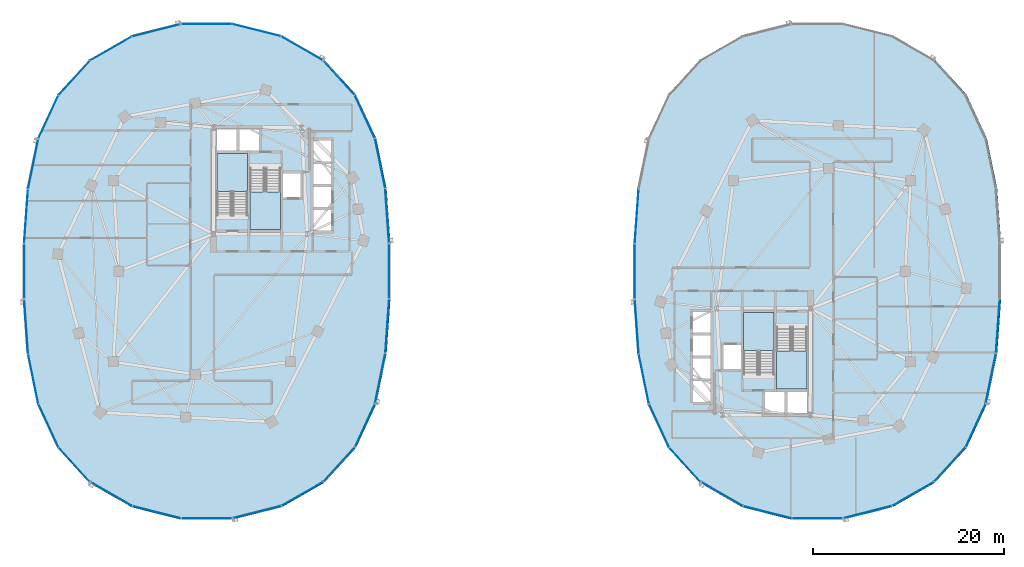
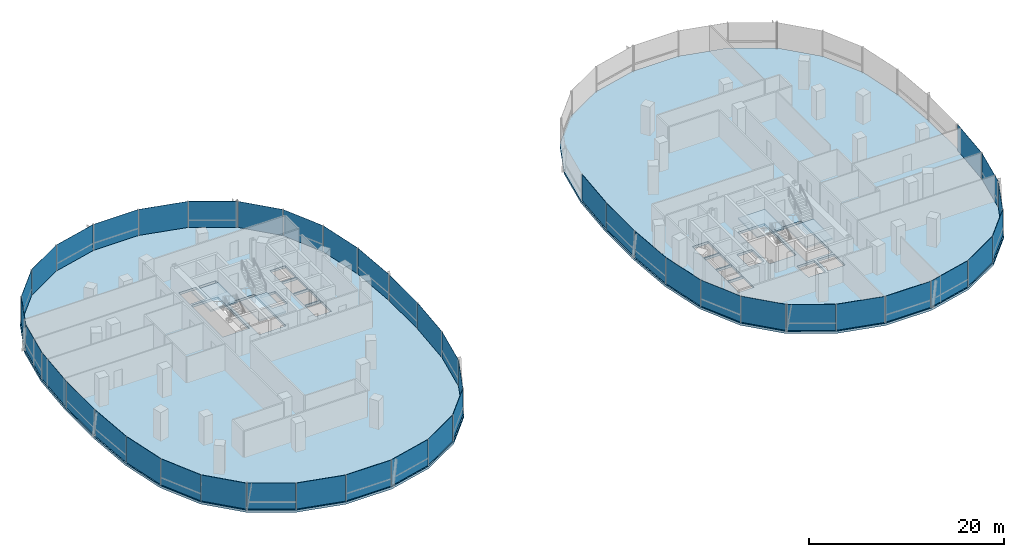
# One storey, part 9 of 21: 43 plates, 6 slabs, 11 elements without a shape of their own.
"""IFC4 building model written with IfcOpenShell, lengths in metres."""

from ifc_helpers import new_model, si_unit, direction, frame, origin, origin_2d, place, context, subcontext, project, spatial, polyline, rectangle, outline, extrude, material, layer, layer_set, type_object, element, aggregate, save


model = new_model("IFC4")

# Units and contexts
model_context = context("Model", 3, precision=1e-05, world=origin(), true_north=direction((0.0, 1.0)))
body_context = subcontext(model_context, "Body", "Model", "MODEL_VIEW")
ifc_project = project(units=[si_unit("LENGTHUNIT", "METRE"), si_unit("AREAUNIT", "SQUARE_METRE"), si_unit("VOLUMEUNIT", "CUBIC_METRE"), si_unit("PLANEANGLEUNIT", "RADIAN"), si_unit("MASSUNIT", "GRAM", prefix="KILO"), si_unit("THERMODYNAMICTEMPERATUREUNIT", "KELVIN"), si_unit("POWERUNIT", "WATT")], contexts=[model_context])

# Site, building, storey
site_placement = place(None, origin())
site = spatial("IfcSite", under=ifc_project, at=site_placement, CompositionType="ELEMENT")
building_placement = place(site_placement, origin())
building = spatial("IfcBuilding", under=site, at=building_placement, Name="Cundina Bronze Exchange", CompositionType="ELEMENT")
storey_placement = place(building_placement, frame((0.0, 0.0, 85.39990234375)))
storey = spatial("IfcBuildingStorey", under=building, at=storey_placement, Name="L21", CompositionType="ELEMENT", Elevation=85.39990234375)

# Curtain wall, plates
ifc_material_1 = material(Name="Anodised Bronze Aluminium 6063-T6", Category="aluminium")
curtain_wall_type = type_object("IfcCurtainWallType", Name="CWS-TRD-MID", PredefinedType="NOTDEFINED", material=ifc_material_1)
curtain_wall_1_placement = place(storey_placement, origin())
curtain_wall_1 = element("IfcCurtainWall", 1, at=curtain_wall_1_placement, inside=storey, type_object=curtain_wall_type, Name="L21 CW-03 Curtain Wall Run CWR-L21-W1", PredefinedType="NOTDEFINED")
ifc_material_2 = material(Name="Heat-Strengthened Solar-Control Bronze Safety Glass 28mm", Category="glass")
ifc_layer_1 = layer(ifc_material_2, 0.028076171875, Name="Heat-Strengthened Solar-Control Bronze Safety Glass 28mm", Category="glass")
ifc_layer_set_1 = layer_set([ifc_layer_1], Name="Heat-Strengthened Solar-Control Bronze Safety Glass 28mm")
plate_type_1 = type_object("IfcPlateType", Name="PLT-GLZ-VIS28", PredefinedType="CURTAIN_PANEL", material=ifc_layer_set_1)
plate_1_placement = place(storey_placement, frame((-13.0732421875, 5.783935546875, 0.02001953125), z_axis=(0.0, 0.0, 1.0), x_axis=(-0.070278787473, 0.997527389113, 0.0)))
plate_1 = element("IfcPlate", 2, at=plate_1_placement, type_object=plate_type_1, Name="CW-03 Glazed Panel 1", PredefinedType="CURTAIN_PANEL", context=body_context, shape_type="SweptSolid", body=[
    extrude(rectangle(XDim=5.644287109375, YDim=0.028076171875, at=origin_2d()), origin(), (0.0, 0.0, 1.0), 3.260009765625),
])
plate_2_placement = place(storey_placement, frame((-13.81591796875, 11.269775390625, 0.02001953125), z_axis=(0.0, 0.0, 1.0), x_axis=(-0.201419845156, 0.979505000486, 0.0)))
plate_2 = element("IfcPlate", 3, at=plate_2_placement, type_object=plate_type_1, Name="CW-03 Glazed Panel 2", PredefinedType="CURTAIN_PANEL", context=body_context, shape_type="SweptSolid", body=[
    extrude(rectangle(XDim=5.306640625, YDim=0.028076171875, at=origin_2d()), origin(), (0.0, 0.0, 1.0), 3.260009765625),
])
plate_3_placement = place(storey_placement, frame((-15.413818359375, 16.177734375, 0.02001953125), z_axis=(0.0, 0.0, 1.0), x_axis=(-0.42084583328, 0.907132175932, 0.0)))
plate_3 = element("IfcPlate", 4, at=plate_3_placement, type_object=plate_type_1, Name="CW-03 Glazed Panel 3", PredefinedType="CURTAIN_PANEL", context=body_context, shape_type="SweptSolid", body=[
    extrude(rectangle(XDim=4.966552734375, YDim=0.028076171875, at=origin_2d()), origin(), (0.0, 0.0, 1.0), 3.260009765625),
])
plate_4_placement = place(storey_placement, frame((-21.980712890625, 23.34423828125, 0.02001953125), z_axis=(0.0, 0.0, 1.0), x_axis=(-0.867105478933, 0.498124571171, 0.0)))
plate_4 = element("IfcPlate", 5, at=plate_4_placement, type_object=plate_type_1, Name="CW-03 Glazed Panel 5", PredefinedType="CURTAIN_PANEL", context=body_context, shape_type="SweptSolid", body=[
    extrude(rectangle(XDim=5.021240234375, YDim=0.028076171875, at=origin_2d()), origin(), (0.0, 0.0, 1.0), 3.260009765625),
])
plate_5_placement = place(storey_placement, frame((-26.744384765625, 25.256591796875, 0.02001953125), z_axis=(0.0, 0.0, 1.0), x_axis=(-0.969488149345, 0.245138182011, 0.0)))
plate_5 = element("IfcPlate", 6, at=plate_5_placement, type_object=plate_type_1, Name="CW-03 Glazed Panel 6", PredefinedType="CURTAIN_PANEL", context=body_context, shape_type="SweptSolid", body=[
    extrude(rectangle(XDim=5.2333984375, YDim=0.028076171875, at=origin_2d()), origin(), (0.0, 0.0, 1.0), 3.260009765625),
])
plate_6_placement = place(storey_placement, frame((-32.0, 25.905029296875, 0.02001953125), z_axis=(0.0, 0.0, 1.0), x_axis=(-1.0, 0.0, 0.0)))
plate_6 = element("IfcPlate", 7, at=plate_6_placement, type_object=plate_type_1, Name="CW-03 Glazed Panel 7", PredefinedType="CURTAIN_PANEL", context=body_context, shape_type="SweptSolid", body=[
    extrude(rectangle(XDim=5.323974609375, YDim=0.028076171875, at=origin_2d()), origin(), (0.0, 0.0, 1.0), 3.260009765625),
])

curtain_wall_2_placement = place(storey_placement, origin())
curtain_wall_2 = element("IfcCurtainWall", 8, at=curtain_wall_2_placement, inside=storey, type_object=curtain_wall_type, Name="L21 CW-03 Curtain Wall Run CWR-L21-W2", PredefinedType="NOTDEFINED")
plate_7_placement = place(storey_placement, frame((-37.255615234375, 25.256591796875, 0.02001953125), z_axis=(0.0, 0.0, 1.0), x_axis=(-0.969488149345, -0.245138182011, 0.0)))
plate_7 = element("IfcPlate", 9, at=plate_7_placement, type_object=plate_type_1, Name="CW-03 Glazed Panel 1", PredefinedType="CURTAIN_PANEL", context=body_context, shape_type="SweptSolid", body=[
    extrude(rectangle(XDim=5.2333984375, YDim=0.028076171875, at=origin_2d()), origin(), (0.0, 0.0, 1.0), 3.260009765625),
])
plate_8_placement = place(storey_placement, frame((-42.019287109375, 23.34423828125, 0.02001953125), z_axis=(0.0, 0.0, 1.0), x_axis=(-0.867105478933, -0.498124571171, 0.0)))
plate_8 = element("IfcPlate", 10, at=plate_8_placement, type_object=plate_type_1, Name="CW-03 Glazed Panel 2", PredefinedType="CURTAIN_PANEL", context=body_context, shape_type="SweptSolid", body=[
    extrude(rectangle(XDim=5.021240234375, YDim=0.028076171875, at=origin_2d()), origin(), (0.0, 0.0, 1.0), 3.260009765625),
])
plate_9_placement = place(storey_placement, frame((-48.586181640625, 16.177734375, 0.02001953125), z_axis=(0.0, 0.0, 1.0), x_axis=(-0.42084583328, -0.907132175932, 0.0)))
plate_9 = element("IfcPlate", 11, at=plate_9_placement, type_object=plate_type_1, Name="CW-03 Glazed Panel 4", PredefinedType="CURTAIN_PANEL", context=body_context, shape_type="SweptSolid", body=[
    extrude(rectangle(XDim=4.966552734375, YDim=0.028076171875, at=origin_2d()), origin(), (0.0, 0.0, 1.0), 3.260009765625),
])
plate_10_placement = place(storey_placement, frame((-50.18408203125, 11.269775390625, 0.02001953125), z_axis=(0.0, 0.0, 1.0), x_axis=(-0.201419845156, -0.979505000486, 0.0)))
plate_10 = element("IfcPlate", 12, at=plate_10_placement, type_object=plate_type_1, Name="CW-03 Glazed Panel 5", PredefinedType="CURTAIN_PANEL", context=body_context, shape_type="SweptSolid", body=[
    extrude(rectangle(XDim=5.306640625, YDim=0.028076171875, at=origin_2d()), origin(), (0.0, 0.0, 1.0), 3.260009765625),
])
plate_11_placement = place(storey_placement, frame((-50.9267578125, 5.783935546875, 0.02001953125), z_axis=(0.0, 0.0, 1.0), x_axis=(-0.070278787473, -0.997527389113, 0.0)))
plate_11 = element("IfcPlate", 13, at=plate_11_placement, type_object=plate_type_1, Name="CW-03 Glazed Panel 6", PredefinedType="CURTAIN_PANEL", context=body_context, shape_type="SweptSolid", body=[
    extrude(rectangle(XDim=5.644287109375, YDim=0.028076171875, at=origin_2d()), origin(), (0.0, 0.0, 1.0), 3.260009765625),
])
plate_12_placement = place(storey_placement, frame((-51.1279296875, 0.0, 0.02001953125), z_axis=(0.0, 0.0, 1.0), x_axis=(0.0, -1.0, 0.0)))
plate_12 = element("IfcPlate", 14, at=plate_12_placement, type_object=plate_type_1, Name="CW-03 Glazed Panel 7", PredefinedType="CURTAIN_PANEL", context=body_context, shape_type="SweptSolid", body=[
    extrude(rectangle(XDim=5.77587890625, YDim=0.028076171875, at=origin_2d()), origin(), (0.0, 0.0, 1.0), 3.260009765625),
])

curtain_wall_3_placement = place(storey_placement, origin())
curtain_wall_3 = element("IfcCurtainWall", 15, at=curtain_wall_3_placement, inside=storey, type_object=curtain_wall_type, Name="L21 CW-03 Curtain Wall Run CWR-L21-W3", PredefinedType="NOTDEFINED")
plate_13_placement = place(storey_placement, frame((-50.9267578125, -5.783935546875, 0.02001953125), z_axis=(0.0, 0.0, 1.0), x_axis=(0.070278787473, -0.997527389113, 0.0)))
plate_13 = element("IfcPlate", 16, at=plate_13_placement, type_object=plate_type_1, Name="CW-03 Glazed Panel 1", PredefinedType="CURTAIN_PANEL", context=body_context, shape_type="SweptSolid", body=[
    extrude(rectangle(XDim=5.644287109375, YDim=0.028076171875, at=origin_2d()), origin(), (0.0, 0.0, 1.0), 3.260009765625),
])
plate_14_placement = place(storey_placement, frame((-48.586181640625, -16.177734375, 0.02001953125), z_axis=(0.0, 0.0, 1.0), x_axis=(0.42084583328, -0.907132175932, 0.0)))
plate_14 = element("IfcPlate", 17, at=plate_14_placement, type_object=plate_type_1, Name="CW-03 Glazed Panel 3", PredefinedType="CURTAIN_PANEL", context=body_context, shape_type="SweptSolid", body=[
    extrude(rectangle(XDim=4.966552734375, YDim=0.028076171875, at=origin_2d()), origin(), (0.0, 0.0, 1.0), 3.260009765625),
])
plate_15_placement = place(storey_placement, frame((-45.8740234375, -20.267333984375, 0.02001953125), z_axis=(0.0, 0.0, 1.0), x_axis=(0.674276610219, -0.73847887777, 0.0)))
plate_15 = element("IfcPlate", 18, at=plate_15_placement, type_object=plate_type_1, Name="CW-03 Glazed Panel 4", PredefinedType="CURTAIN_PANEL", context=body_context, shape_type="SweptSolid", body=[
    extrude(rectangle(XDim=4.86328125, YDim=0.028076171875, at=origin_2d()), origin(), (0.0, 0.0, 1.0), 3.260009765625),
])
plate_16_placement = place(storey_placement, frame((-42.019287109375, -23.34423828125, 0.02001953125), z_axis=(0.0, 0.0, 1.0), x_axis=(0.867105478933, -0.498124571171, 0.0)))
plate_16 = element("IfcPlate", 19, at=plate_16_placement, type_object=plate_type_1, Name="CW-03 Glazed Panel 5", PredefinedType="CURTAIN_PANEL", context=body_context, shape_type="SweptSolid", body=[
    extrude(rectangle(XDim=5.021240234375, YDim=0.028076171875, at=origin_2d()), origin(), (0.0, 0.0, 1.0), 3.260009765625),
])
plate_17_placement = place(storey_placement, frame((-37.255615234375, -25.256591796875, 0.02001953125), z_axis=(0.0, 0.0, 1.0), x_axis=(0.969488149345, -0.245138182011, 0.0)))
plate_17 = element("IfcPlate", 20, at=plate_17_placement, type_object=plate_type_1, Name="CW-03 Glazed Panel 6", PredefinedType="CURTAIN_PANEL", context=body_context, shape_type="SweptSolid", body=[
    extrude(rectangle(XDim=5.2333984375, YDim=0.028076171875, at=origin_2d()), origin(), (0.0, 0.0, 1.0), 3.260009765625),
])

curtain_wall_4_placement = place(storey_placement, origin())
curtain_wall_4 = element("IfcCurtainWall", 21, at=curtain_wall_4_placement, inside=storey, type_object=curtain_wall_type, Name="L21 CW-03 Curtain Wall Run CWR-L21-W4", PredefinedType="NOTDEFINED")
plate_18_placement = place(storey_placement, frame((-21.980712890625, -23.34423828125, 0.02001953125), z_axis=(0.0, 0.0, 1.0), x_axis=(0.867105478933, 0.498124571171, 0.0)))
plate_18 = element("IfcPlate", 22, at=plate_18_placement, type_object=plate_type_1, Name="CW-03 Glazed Panel 2", PredefinedType="CURTAIN_PANEL", context=body_context, shape_type="SweptSolid", body=[
    extrude(rectangle(XDim=5.021240234375, YDim=0.028076171875, at=origin_2d()), origin(), (0.0, 0.0, 1.0), 3.260009765625),
])
plate_19_placement = place(storey_placement, frame((-18.1259765625, -20.267333984375, 0.02001953125), z_axis=(0.0, 0.0, 1.0), x_axis=(0.674276610219, 0.73847887777, 0.0)))
plate_19 = element("IfcPlate", 23, at=plate_19_placement, type_object=plate_type_1, Name="CW-03 Glazed Panel 3", PredefinedType="CURTAIN_PANEL", context=body_context, shape_type="SweptSolid", body=[
    extrude(rectangle(XDim=4.86328125, YDim=0.028076171875, at=origin_2d()), origin(), (0.0, 0.0, 1.0), 3.260009765625),
])
plate_20_placement = place(storey_placement, frame((-15.413818359375, -16.177734375, 0.02001953125), z_axis=(0.0, 0.0, 1.0), x_axis=(0.42084583328, 0.907132175932, 0.0)))
plate_20 = element("IfcPlate", 24, at=plate_20_placement, type_object=plate_type_1, Name="CW-03 Glazed Panel 4", PredefinedType="CURTAIN_PANEL", context=body_context, shape_type="SweptSolid", body=[
    extrude(rectangle(XDim=4.966552734375, YDim=0.028076171875, at=origin_2d()), origin(), (0.0, 0.0, 1.0), 3.260009765625),
])
plate_21_placement = place(storey_placement, frame((-13.81591796875, -11.269775390625, 0.02001953125), z_axis=(0.0, 0.0, 1.0), x_axis=(0.201419845156, 0.979505000486, 0.0)))
plate_21 = element("IfcPlate", 25, at=plate_21_placement, type_object=plate_type_1, Name="CW-03 Glazed Panel 5", PredefinedType="CURTAIN_PANEL", context=body_context, shape_type="SweptSolid", body=[
    extrude(rectangle(XDim=5.306640625, YDim=0.028076171875, at=origin_2d()), origin(), (0.0, 0.0, 1.0), 3.260009765625),
])
plate_22_placement = place(storey_placement, frame((-12.8720703125, 0.0, 0.02001953125), z_axis=(0.0, 0.0, 1.0), x_axis=(0.0, 1.0, 0.0)))
plate_22 = element("IfcPlate", 26, at=plate_22_placement, type_object=plate_type_1, Name="CW-03 Glazed Panel 7", PredefinedType="CURTAIN_PANEL", context=body_context, shape_type="SweptSolid", body=[
    extrude(rectangle(XDim=5.77587890625, YDim=0.028076171875, at=origin_2d()), origin(), (0.0, 0.0, 1.0), 3.260009765625),
])

curtain_wall_5_placement = place(storey_placement, origin())
curtain_wall_5 = element("IfcCurtainWall", 27, at=curtain_wall_5_placement, inside=storey, type_object=curtain_wall_type, Name="L21 CW-03 Curtain Wall Run CWR-L21-E2", PredefinedType="NOTDEFINED")
plate_23_placement = place(storey_placement, frame((13.0732421875, 5.783935546875, 0.02001953125), z_axis=(0.0, 0.0, 1.0), x_axis=(-0.070278787473, -0.997527389113, 0.0)))
plate_23 = element("IfcPlate", 28, at=plate_23_placement, type_object=plate_type_1, Name="CW-03 Glazed Panel 6", PredefinedType="CURTAIN_PANEL", context=body_context, shape_type="SweptSolid", body=[
    extrude(rectangle(XDim=5.644287109375, YDim=0.028076171875, at=origin_2d()), origin(), (0.0, 0.0, 1.0), 3.260009765625),
])
plate_24_placement = place(storey_placement, frame((12.8720703125, 0.0, 0.02001953125), z_axis=(0.0, 0.0, 1.0), x_axis=(0.0, -1.0, 0.0)))
plate_24 = element("IfcPlate", 29, at=plate_24_placement, type_object=plate_type_1, Name="CW-03 Glazed Panel 7", PredefinedType="CURTAIN_PANEL", context=body_context, shape_type="SweptSolid", body=[
    extrude(rectangle(XDim=5.77587890625, YDim=0.028076171875, at=origin_2d()), origin(), (0.0, 0.0, 1.0), 3.260009765625),
])
aggregate(curtain_wall_5, [plate_23, plate_24])

curtain_wall_6_placement = place(storey_placement, origin())
curtain_wall_6 = element("IfcCurtainWall", 30, at=curtain_wall_6_placement, inside=storey, type_object=curtain_wall_type, Name="L21 CW-03 Curtain Wall Run CWR-L21-E3", PredefinedType="NOTDEFINED")
plate_25_placement = place(storey_placement, frame((13.0732421875, -5.783935546875, 0.02001953125), z_axis=(0.0, 0.0, 1.0), x_axis=(0.070278787473, -0.997527389113, 0.0)))
plate_25 = element("IfcPlate", 31, at=plate_25_placement, type_object=plate_type_1, Name="CW-03 Glazed Panel 1", PredefinedType="CURTAIN_PANEL", context=body_context, shape_type="SweptSolid", body=[
    extrude(rectangle(XDim=5.644287109375, YDim=0.028076171875, at=origin_2d()), origin(), (0.0, 0.0, 1.0), 3.260009765625),
])
plate_26_placement = place(storey_placement, frame((15.413818359375, -16.177734375, 0.02001953125), z_axis=(0.0, 0.0, 1.0), x_axis=(0.42084583328, -0.907132175932, 0.0)))
plate_26 = element("IfcPlate", 32, at=plate_26_placement, type_object=plate_type_1, Name="CW-03 Glazed Panel 3", PredefinedType="CURTAIN_PANEL", context=body_context, shape_type="SweptSolid", body=[
    extrude(rectangle(XDim=4.966552734375, YDim=0.028076171875, at=origin_2d()), origin(), (0.0, 0.0, 1.0), 3.260009765625),
])
plate_27_placement = place(storey_placement, frame((18.1259765625, -20.267333984375, 0.02001953125), z_axis=(0.0, 0.0, 1.0), x_axis=(0.674276610219, -0.73847887777, 0.0)))
plate_27 = element("IfcPlate", 33, at=plate_27_placement, type_object=plate_type_1, Name="CW-03 Glazed Panel 4", PredefinedType="CURTAIN_PANEL", context=body_context, shape_type="SweptSolid", body=[
    extrude(rectangle(XDim=4.86328125, YDim=0.028076171875, at=origin_2d()), origin(), (0.0, 0.0, 1.0), 3.260009765625),
])
plate_28_placement = place(storey_placement, frame((21.980712890625, -23.34423828125, 0.02001953125), z_axis=(0.0, 0.0, 1.0), x_axis=(0.867105478933, -0.498124571171, 0.0)))
plate_28 = element("IfcPlate", 34, at=plate_28_placement, type_object=plate_type_1, Name="CW-03 Glazed Panel 5", PredefinedType="CURTAIN_PANEL", context=body_context, shape_type="SweptSolid", body=[
    extrude(rectangle(XDim=5.021240234375, YDim=0.028076171875, at=origin_2d()), origin(), (0.0, 0.0, 1.0), 3.260009765625),
])
plate_29_placement = place(storey_placement, frame((26.744384765625, -25.256591796875, 0.02001953125), z_axis=(0.0, 0.0, 1.0), x_axis=(0.969488149345, -0.245138182011, 0.0)))
plate_29 = element("IfcPlate", 35, at=plate_29_placement, type_object=plate_type_1, Name="CW-03 Glazed Panel 6", PredefinedType="CURTAIN_PANEL", context=body_context, shape_type="SweptSolid", body=[
    extrude(rectangle(XDim=5.2333984375, YDim=0.028076171875, at=origin_2d()), origin(), (0.0, 0.0, 1.0), 3.260009765625),
])

curtain_wall_7_placement = place(storey_placement, origin())
curtain_wall_7 = element("IfcCurtainWall", 36, at=curtain_wall_7_placement, inside=storey, type_object=curtain_wall_type, Name="L21 CW-03 Curtain Wall Run CWR-L21-E4", PredefinedType="NOTDEFINED")
plate_30_placement = place(storey_placement, frame((42.019287109375, -23.34423828125, 0.02001953125), z_axis=(0.0, 0.0, 1.0), x_axis=(0.867105478933, 0.498124571171, 0.0)))
plate_30 = element("IfcPlate", 37, at=plate_30_placement, type_object=plate_type_1, Name="CW-03 Glazed Panel 2", PredefinedType="CURTAIN_PANEL", context=body_context, shape_type="SweptSolid", body=[
    extrude(rectangle(XDim=5.021240234375, YDim=0.028076171875, at=origin_2d()), origin(), (0.0, 0.0, 1.0), 3.260009765625),
])
plate_31_placement = place(storey_placement, frame((45.8740234375, -20.267333984375, 0.02001953125), z_axis=(0.0, 0.0, 1.0), x_axis=(0.674276610219, 0.73847887777, 0.0)))
plate_31 = element("IfcPlate", 38, at=plate_31_placement, type_object=plate_type_1, Name="CW-03 Glazed Panel 3", PredefinedType="CURTAIN_PANEL", context=body_context, shape_type="SweptSolid", body=[
    extrude(rectangle(XDim=4.86328125, YDim=0.028076171875, at=origin_2d()), origin(), (0.0, 0.0, 1.0), 3.260009765625),
])
plate_32_placement = place(storey_placement, frame((48.586181640625, -16.177734375, 0.02001953125), z_axis=(0.0, 0.0, 1.0), x_axis=(0.42084583328, 0.907132175932, 0.0)))
plate_32 = element("IfcPlate", 39, at=plate_32_placement, type_object=plate_type_1, Name="CW-03 Glazed Panel 4", PredefinedType="CURTAIN_PANEL", context=body_context, shape_type="SweptSolid", body=[
    extrude(rectangle(XDim=4.966552734375, YDim=0.028076171875, at=origin_2d()), origin(), (0.0, 0.0, 1.0), 3.260009765625),
])
plate_33_placement = place(storey_placement, frame((50.18408203125, -11.269775390625, 0.02001953125), z_axis=(0.0, 0.0, 1.0), x_axis=(0.201419845156, 0.979505000486, 0.0)))
plate_33 = element("IfcPlate", 40, at=plate_33_placement, type_object=plate_type_1, Name="CW-03 Glazed Panel 5", PredefinedType="CURTAIN_PANEL", context=body_context, shape_type="SweptSolid", body=[
    extrude(rectangle(XDim=5.306640625, YDim=0.028076171875, at=origin_2d()), origin(), (0.0, 0.0, 1.0), 3.260009765625),
])

# Plate
ifc_material_3 = material(Name="Dark Bronze Spandrel Glass Panel 32mm", Category="glass")
ifc_layer_2 = layer(ifc_material_3, 0.031982421875, Name="Dark Bronze Spandrel Glass Panel 32mm", Category="glass")
ifc_layer_set_2 = layer_set([ifc_layer_2], Name="Dark Bronze Spandrel Glass Panel 32mm")
plate_type_2 = type_object("IfcPlateType", Name="PLT-SPN-BRZ32", PredefinedType="CURTAIN_PANEL", material=ifc_layer_set_2)
plate_34_placement = place(storey_placement, frame((-18.1259765625, 20.267333984375, 0.02001953125), z_axis=(0.0, 0.0, 1.0), x_axis=(-0.674276610219, 0.73847887777, 0.0)))
plate_34 = element("IfcPlate", 41, at=plate_34_placement, type_object=plate_type_2, Name="CW-03 Glazed Panel 4", PredefinedType="CURTAIN_PANEL", context=body_context, shape_type="SweptSolid", body=[
    extrude(rectangle(XDim=4.86328125, YDim=0.031982421875, at=origin_2d()), origin(), (0.0, 0.0, 1.0), 3.260009765625),
])

aggregate(curtain_wall_1, [plate_1, plate_2, plate_3, plate_34, plate_4, plate_5, plate_6])

plate_35_placement = place(storey_placement, frame((-45.8740234375, 20.267333984375, 0.02001953125), z_axis=(0.0, 0.0, 1.0), x_axis=(-0.674276610219, -0.73847887777, 0.0)))
plate_35 = element("IfcPlate", 42, at=plate_35_placement, type_object=plate_type_2, Name="CW-03 Glazed Panel 3", PredefinedType="CURTAIN_PANEL", context=body_context, shape_type="SweptSolid", body=[
    extrude(rectangle(XDim=4.86328125, YDim=0.031982421875, at=origin_2d()), origin(), (0.0, 0.0, 1.0), 3.260009765625),
])

aggregate(curtain_wall_2, [plate_7, plate_8, plate_35, plate_9, plate_10, plate_11, plate_12])

plate_36_placement = place(storey_placement, frame((-50.18408203125, -11.269775390625, 0.02001953125), z_axis=(0.0, 0.0, 1.0), x_axis=(0.201419845156, -0.979505000486, 0.0)))
plate_36 = element("IfcPlate", 43, at=plate_36_placement, type_object=plate_type_2, Name="CW-03 Glazed Panel 2", PredefinedType="CURTAIN_PANEL", context=body_context, shape_type="SweptSolid", body=[
    extrude(rectangle(XDim=5.306640625, YDim=0.031982421875, at=origin_2d()), origin(), (0.0, 0.0, 1.0), 3.260009765625),
])

plate_37_placement = place(storey_placement, frame((-32.0, -25.905029296875, 0.02001953125), z_axis=(0.0, 0.0, 1.0), x_axis=(1.0, 0.0, 0.0)))
plate_37 = element("IfcPlate", 44, at=plate_37_placement, type_object=plate_type_2, Name="CW-03 Glazed Panel 7", PredefinedType="CURTAIN_PANEL", context=body_context, shape_type="SweptSolid", body=[
    extrude(rectangle(XDim=5.323974609375, YDim=0.031982421875, at=origin_2d()), origin(), (0.0, 0.0, 1.0), 3.260009765625),
])

aggregate(curtain_wall_3, [plate_13, plate_36, plate_14, plate_15, plate_16, plate_17, plate_37])

plate_38_placement = place(storey_placement, frame((-26.744384765625, -25.256591796875, 0.02001953125), z_axis=(0.0, 0.0, 1.0), x_axis=(0.969488149345, 0.245138182011, 0.0)))
plate_38 = element("IfcPlate", 45, at=plate_38_placement, type_object=plate_type_2, Name="CW-03 Glazed Panel 1", PredefinedType="CURTAIN_PANEL", context=body_context, shape_type="SweptSolid", body=[
    extrude(rectangle(XDim=5.2333984375, YDim=0.031982421875, at=origin_2d()), origin(), (0.0, 0.0, 1.0), 3.260009765625),
])

plate_39_placement = place(storey_placement, frame((-13.0732421875, -5.783935546875, 0.02001953125), z_axis=(0.0, 0.0, 1.0), x_axis=(0.070278787473, 0.997527389113, 0.0)))
plate_39 = element("IfcPlate", 46, at=plate_39_placement, type_object=plate_type_2, Name="CW-03 Glazed Panel 6", PredefinedType="CURTAIN_PANEL", context=body_context, shape_type="SweptSolid", body=[
    extrude(rectangle(XDim=5.644287109375, YDim=0.031982421875, at=origin_2d()), origin(), (0.0, 0.0, 1.0), 3.260009765625),
])

aggregate(curtain_wall_4, [plate_38, plate_18, plate_19, plate_20, plate_21, plate_39, plate_22])

plate_40_placement = place(storey_placement, frame((13.81591796875, -11.269775390625, 0.02001953125), z_axis=(0.0, 0.0, 1.0), x_axis=(0.201419845156, -0.979505000486, 0.0)))
plate_40 = element("IfcPlate", 47, at=plate_40_placement, type_object=plate_type_2, Name="CW-03 Glazed Panel 2", PredefinedType="CURTAIN_PANEL", context=body_context, shape_type="SweptSolid", body=[
    extrude(rectangle(XDim=5.306640625, YDim=0.031982421875, at=origin_2d()), origin(), (0.0, 0.0, 1.0), 3.260009765625),
])

plate_41_placement = place(storey_placement, frame((32.0, -25.905029296875, 0.02001953125), z_axis=(0.0, 0.0, 1.0), x_axis=(1.0, 0.0, 0.0)))
plate_41 = element("IfcPlate", 48, at=plate_41_placement, type_object=plate_type_2, Name="CW-03 Glazed Panel 7", PredefinedType="CURTAIN_PANEL", context=body_context, shape_type="SweptSolid", body=[
    extrude(rectangle(XDim=5.323974609375, YDim=0.031982421875, at=origin_2d()), origin(), (0.0, 0.0, 1.0), 3.260009765625),
])

aggregate(curtain_wall_6, [plate_25, plate_40, plate_26, plate_27, plate_28, plate_29, plate_41])

plate_42_placement = place(storey_placement, frame((37.255615234375, -25.256591796875, 0.02001953125), z_axis=(0.0, 0.0, 1.0), x_axis=(0.969488149345, 0.245138182011, 0.0)))
plate_42 = element("IfcPlate", 49, at=plate_42_placement, type_object=plate_type_2, Name="CW-03 Glazed Panel 1", PredefinedType="CURTAIN_PANEL", context=body_context, shape_type="SweptSolid", body=[
    extrude(rectangle(XDim=5.2333984375, YDim=0.031982421875, at=origin_2d()), origin(), (0.0, 0.0, 1.0), 3.260009765625),
])

plate_43_placement = place(storey_placement, frame((50.9267578125, -5.783935546875, 0.02001953125), z_axis=(0.0, 0.0, 1.0), x_axis=(0.070278787473, 0.997527389113, 0.0)))
plate_43 = element("IfcPlate", 50, at=plate_43_placement, type_object=plate_type_2, Name="CW-03 Glazed Panel 6", PredefinedType="CURTAIN_PANEL", context=body_context, shape_type="SweptSolid", body=[
    extrude(rectangle(XDim=5.644287109375, YDim=0.031982421875, at=origin_2d()), origin(), (0.0, 0.0, 1.0), 3.260009765625),
])

aggregate(curtain_wall_7, [plate_42, plate_30, plate_31, plate_32, plate_33, plate_43])

# Stair, slab
ifc_material_4 = material(Name="Concrete C40/50", Category="concrete")
stair_type = type_object("IfcStairType", Name="STR-OFF-360", PredefinedType="HALF_TURN_STAIR", material=ifc_material_4)
stair_1_placement = place(storey_placement, origin())
stair_1 = element("IfcStair", 51, at=stair_1_placement, inside=storey, type_object=stair_type, Name="L21 Smokeproof Exit Stair W1", PredefinedType="HALF_TURN_STAIR")
ifc_layer_3 = layer(ifc_material_4, 0.199951171875, Name="Concrete C40/50", Category="concrete")
ifc_layer_set_3 = layer_set([ifc_layer_3], Name="Concrete C40/50")
slab_type_1 = type_object("IfcSlabType", Name="SLB-LND-200", PredefinedType="LANDING", material=ifc_layer_set_3)
slab_1_placement = place(storey_placement, frame((0.0, 0.0, 1.60009765625)))
slab_1 = element("IfcSlab", 52, at=slab_1_placement, type_object=slab_type_1, Name="ST-W1 landing 1", PredefinedType="LANDING", context=body_context, shape_type="SweptSolid", body=[
    extrude(outline(polyline([(-27.739990234375, 8.3701171875), (-27.739990234375, 12.35009765625), (-30.89990234375, 12.35009765625), (-30.89990234375, 8.3701171875), (-27.739990234375, 8.3701171875)])), origin(), (0.0, 0.0, 1.0), 0.199951171875),
])
aggregate(stair_1, [slab_1])

stair_2_placement = place(storey_placement, origin())
stair_2 = element("IfcStair", 53, at=stair_2_placement, inside=storey, type_object=stair_type, Name="L21 Smokeproof Exit Stair W2", PredefinedType="HALF_TURN_STAIR")
slab_2_placement = place(storey_placement, frame((0.0, 0.0, 1.60009765625)))
slab_2 = element("IfcSlab", 54, at=slab_2_placement, type_object=slab_type_1, Name="ST-W2 landing 1", PredefinedType="LANDING", context=body_context, shape_type="SweptSolid", body=[
    extrude(outline(polyline([(-27.43994140625, 8.330078125), (-27.43994140625, 4.35009765625), (-24.280029296875, 4.35009765625), (-24.280029296875, 8.330078125), (-27.43994140625, 8.330078125)])), origin(), (0.0, 0.0, 1.0), 0.199951171875),
])
aggregate(stair_2, [slab_2])

stair_3_placement = place(storey_placement, origin())
stair_3 = element("IfcStair", 55, at=stair_3_placement, inside=storey, type_object=stair_type, Name="L21 Smokeproof Exit Stair E1", PredefinedType="HALF_TURN_STAIR")
slab_3_placement = place(storey_placement, frame((0.0, 0.0, 1.60009765625)))
slab_3 = element("IfcSlab", 56, at=slab_3_placement, type_object=slab_type_1, Name="ST-E1 landing 1", PredefinedType="LANDING", context=body_context, shape_type="SweptSolid", body=[
    extrude(outline(polyline([(27.739990234375, -8.3701171875), (27.739990234375, -12.35009765625), (30.89990234375, -12.35009765625), (30.89990234375, -8.3701171875), (27.739990234375, -8.3701171875)])), origin(), (0.0, 0.0, 1.0), 0.199951171875),
])
aggregate(stair_3, [slab_3])

stair_4_placement = place(storey_placement, origin())
stair_4 = element("IfcStair", 57, at=stair_4_placement, inside=storey, type_object=stair_type, Name="L21 Smokeproof Exit Stair E2", PredefinedType="HALF_TURN_STAIR")
slab_4_placement = place(storey_placement, frame((0.0, 0.0, 1.60009765625)))
slab_4 = element("IfcSlab", 58, at=slab_4_placement, type_object=slab_type_1, Name="ST-E2 landing 1", PredefinedType="LANDING", context=body_context, shape_type="SweptSolid", body=[
    extrude(outline(polyline([(27.43994140625, -8.330078125), (27.43994140625, -4.35009765625), (24.280029296875, -4.35009765625), (24.280029296875, -8.330078125), (27.43994140625, -8.330078125)])), origin(), (0.0, 0.0, 1.0), 0.199951171875),
])
aggregate(stair_4, [slab_4])

# Slabs
ifc_material_5 = material(Name="Concrete C50/60", Category="concrete")
ifc_layer_4 = layer(ifc_material_5, 0.300048828125, Name="Concrete C50/60", Category="concrete")
ifc_layer_set_4 = layer_set([ifc_layer_4], Name="Concrete C50/60")
slab_type_2 = type_object("IfcSlabType", Name="SLB-TRD-300", PredefinedType="FLOOR", material=ifc_layer_set_4)
slab_5_placement = place(storey_placement, frame((0.0, 0.0, -0.2998046875)))
element("IfcSlab", 59, at=slab_5_placement, inside=storey, type_object=slab_type_2, Name="L21 Leg W Structural Floor Slab", PredefinedType="FLOOR", context=body_context, shape_type="SweptSolid", body=[
    extrude(outline(polyline([(-12.741943359375, 2.93310546875), (-13.14501953125, 8.653076171875), (-14.23193359375, 13.93896484375), (-16.360107421875, 18.52587890625), (-19.699951171875, 22.18408203125), (-24.132080078125, 24.72998046875), (-29.29296875, 26.034912109375), (-34.70703125, 26.034912109375), (-39.867919921875, 24.72998046875), (-44.300048828125, 22.18408203125), (-47.639892578125, 18.52587890625), (-49.76806640625, 13.93896484375), (-50.85498046875, 8.653076171875), (-51.258056640625, 2.93310546875), (-51.258056640625, -2.93310546875), (-50.85498046875, -8.653076171875), (-49.76806640625, -13.93896484375), (-47.639892578125, -18.52587890625), (-44.300048828125, -22.18408203125), (-39.867919921875, -24.72998046875), (-34.70703125, -26.034912109375), (-29.29296875, -26.034912109375), (-24.132080078125, -24.72998046875), (-19.699951171875, -22.18408203125), (-16.360107421875, -18.52587890625), (-14.23193359375, -13.93896484375), (-13.14501953125, -8.653076171875), (-12.741943359375, -2.93310546875), (-12.741943359375, 2.93310546875)]), holes=[polyline([(-27.739990234375, 5.85009765625), (-27.739990234375, 12.35009765625), (-30.89990234375, 12.35009765625), (-30.89990234375, 5.85009765625), (-27.739990234375, 5.85009765625)]), polyline([(-27.43994140625, 10.85009765625), (-27.43994140625, 4.35009765625), (-24.280029296875, 4.35009765625), (-24.280029296875, 10.85009765625), (-27.43994140625, 10.85009765625)]), polyline([(-23.97998046875, 10.25), (-22.179931640625, 10.25), (-22.179931640625, 7.75), (-23.97998046875, 7.75), (-23.97998046875, 10.25)]), polyline([(-30.89990234375, 14.949951171875), (-28.85009765625, 14.949951171875), (-28.85009765625, 12.64990234375), (-30.89990234375, 12.64990234375), (-30.89990234375, 14.949951171875)]), polyline([(-28.550048828125, 14.949951171875), (-26.5, 14.949951171875), (-26.5, 12.64990234375), (-28.550048828125, 12.64990234375), (-28.550048828125, 14.949951171875)]), polyline([(-20.800048828125, 13.699951171875), (-18.949951171875, 13.699951171875), (-18.949951171875, 11.449951171875), (-20.800048828125, 11.449951171875), (-20.800048828125, 13.699951171875)]), polyline([(-20.800048828125, 11.300048828125), (-18.949951171875, 11.300048828125), (-18.949951171875, 9.050048828125), (-20.800048828125, 9.050048828125), (-20.800048828125, 11.300048828125)]), polyline([(-20.800048828125, 8.89990234375), (-18.949951171875, 8.89990234375), (-18.949951171875, 6.64990234375), (-20.800048828125, 6.64990234375), (-20.800048828125, 8.89990234375)]), polyline([(-20.800048828125, 6.5), (-18.949951171875, 6.5), (-18.949951171875, 4.25), (-20.800048828125, 4.25), (-20.800048828125, 6.5)])]), origin(), (0.0, 0.0, 1.0), 0.2998046875),
])
slab_6_placement = place(storey_placement, frame((0.0, 0.0, -0.2998046875)))
element("IfcSlab", 60, at=slab_6_placement, inside=storey, type_object=slab_type_2, Name="L21 Leg E Structural Floor Slab", PredefinedType="FLOOR", context=body_context, shape_type="SweptSolid", body=[
    extrude(outline(polyline([(51.258056640625, 2.93310546875), (50.85498046875, 8.653076171875), (49.76806640625, 13.93896484375), (47.639892578125, 18.52587890625), (44.300048828125, 22.18408203125), (39.867919921875, 24.72998046875), (34.70703125, 26.034912109375), (29.29296875, 26.034912109375), (24.132080078125, 24.72998046875), (19.699951171875, 22.18408203125), (16.360107421875, 18.52587890625), (14.23193359375, 13.93896484375), (13.14501953125, 8.653076171875), (12.741943359375, 2.93310546875), (12.741943359375, -2.93310546875), (13.14501953125, -8.653076171875), (14.23193359375, -13.93896484375), (16.360107421875, -18.52587890625), (19.699951171875, -22.18408203125), (24.132080078125, -24.72998046875), (29.29296875, -26.034912109375), (34.70703125, -26.034912109375), (39.867919921875, -24.72998046875), (44.300048828125, -22.18408203125), (47.639892578125, -18.52587890625), (49.76806640625, -13.93896484375), (50.85498046875, -8.653076171875), (51.258056640625, -2.93310546875), (51.258056640625, 2.93310546875)]), holes=[polyline([(27.739990234375, -5.85009765625), (27.739990234375, -12.35009765625), (30.89990234375, -12.35009765625), (30.89990234375, -5.85009765625), (27.739990234375, -5.85009765625)]), polyline([(27.43994140625, -10.85009765625), (27.43994140625, -4.35009765625), (24.280029296875, -4.35009765625), (24.280029296875, -10.85009765625), (27.43994140625, -10.85009765625)]), polyline([(22.179931640625, -7.75), (23.97998046875, -7.75), (23.97998046875, -10.25), (22.179931640625, -10.25), (22.179931640625, -7.75)]), polyline([(28.85009765625, -12.64990234375), (30.89990234375, -12.64990234375), (30.89990234375, -14.949951171875), (28.85009765625, -14.949951171875), (28.85009765625, -12.64990234375)]), polyline([(26.5, -12.64990234375), (28.550048828125, -12.64990234375), (28.550048828125, -14.949951171875), (26.5, -14.949951171875), (26.5, -12.64990234375)]), polyline([(18.949951171875, -11.449951171875), (20.800048828125, -11.449951171875), (20.800048828125, -13.699951171875), (18.949951171875, -13.699951171875), (18.949951171875, -11.449951171875)]), polyline([(18.949951171875, -9.050048828125), (20.800048828125, -9.050048828125), (20.800048828125, -11.300048828125), (18.949951171875, -11.300048828125), (18.949951171875, -9.050048828125)]), polyline([(18.949951171875, -6.64990234375), (20.800048828125, -6.64990234375), (20.800048828125, -8.89990234375), (18.949951171875, -8.89990234375), (18.949951171875, -6.64990234375)]), polyline([(18.949951171875, -4.25), (20.800048828125, -4.25), (20.800048828125, -6.5), (18.949951171875, -6.5), (18.949951171875, -4.25)])]), origin(), (0.0, 0.0, 1.0), 0.2998046875),
])

save(model, "model.ifc")
